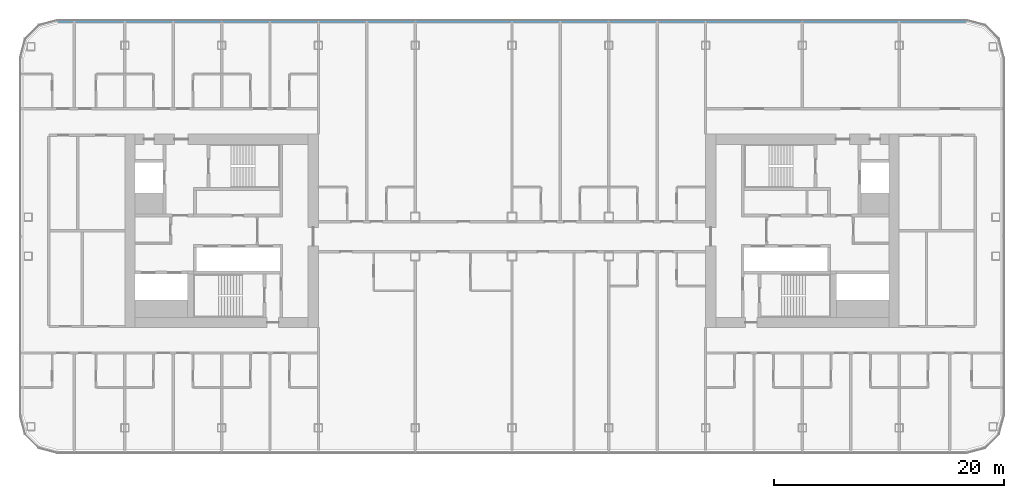
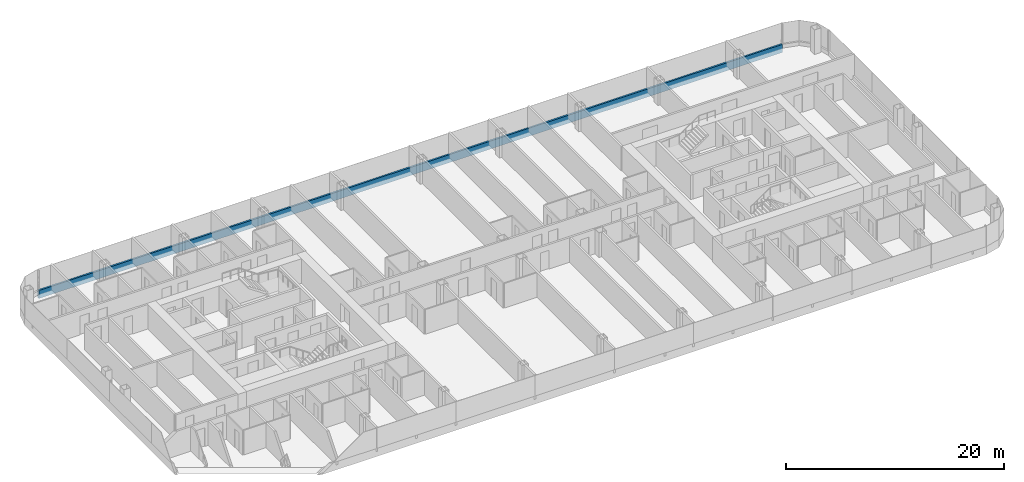
# One storey, part 7 of 26: 1 member, 1 element without a shape of its own.
"""IFC4 building model written with IfcOpenShell, lengths in metres."""

from ifc_helpers import new_model, si_unit, direction, frame, origin, origin_2d, place, context, subcontext, project, spatial, rectangle, extrude, material, layer, layer_set, material_profile, profile_set, type_object, element, aggregate, save


model = new_model("IFC4")

# Units and contexts
model_context = context("Model", 3, precision=1e-05, world=origin(), true_north=direction((0.0, 1.0)))
body_context = subcontext(model_context, "Body", "Model", "MODEL_VIEW")
ifc_project = project(units=[si_unit("LENGTHUNIT", "METRE"), si_unit("AREAUNIT", "SQUARE_METRE"), si_unit("VOLUMEUNIT", "CUBIC_METRE"), si_unit("PLANEANGLEUNIT", "RADIAN"), si_unit("MASSUNIT", "GRAM", prefix="KILO")], contexts=[model_context])

# Site, building, storey
site_placement = place(None, origin())
site = spatial("IfcSite", under=ifc_project, at=site_placement, CompositionType="ELEMENT")
building_placement = place(site_placement, origin())
building = spatial("IfcBuilding", under=site, at=building_placement, Name="Hakoniwa Tower and Hamabe Station Hall", CompositionType="ELEMENT")
storey_placement = place(building_placement, frame((0.0, 0.0, 134.199951171875)))
storey = spatial("IfcBuildingStorey", under=building, at=storey_placement, Name="L37", CompositionType="ELEMENT", Elevation=134.199951171875)

# Curtain wall, member
ifc_material_1 = material(Name="Dark low-e laminated glass", Category="glass")
ifc_layer = layer(ifc_material_1, 0.199951171875)
ifc_layer_set = layer_set([ifc_layer], Name="CW-1 UNITISED GUEST")
curtain_wall_type = type_object("IfcCurtainWallType", Name="CW-1 UNITISED GUEST", PredefinedType="NOTDEFINED", material=ifc_layer_set)
curtain_wall_placement = place(storey_placement, origin())
curtain_wall = element("IfcCurtainWall", 1, at=curtain_wall_placement, inside=storey, type_object=curtain_wall_type, Name="CW-1 curtain wall", PredefinedType="NOTDEFINED")
ifc_material_2 = material(Name="Aluminium 6063-T5 black anodised", Category="aluminium")
ifc_material_profile = material_profile(ifc_material_2, rectangle(XDim=0.199951171875, YDim=0.89990234375, at=origin_2d()), Name="CW SLAB-EDGE BAND 900X200")
ifc_profile_set = profile_set([ifc_material_profile], Name="Aluminium 6063-T5 black anodised")
member_type = type_object("IfcMemberType", Name="CW SLAB-EDGE BAND 900X200", PredefinedType="USERDEFINED", material=ifc_profile_set)
member_placement = place(storey_placement, frame((39.439453125, 18.199951171875, -0.099853515625), z_axis=(-1.0, 0.0, 0.0), x_axis=(0.0, -1.0, 0.0)))
member = element("IfcMember", 2, at=member_placement, type_object=member_type, Name="CW-1 transom", ObjectType="TRANSOM", PredefinedType="USERDEFINED", context=body_context, shape_type="SweptSolid", body=[
    extrude(rectangle(XDim=0.199951171875, YDim=0.89990234375, at=origin_2d()), origin(), (0.0, 0.0, 1.0), 78.87890625),
])
aggregate(curtain_wall, [member])

save(model, "model.ifc")
